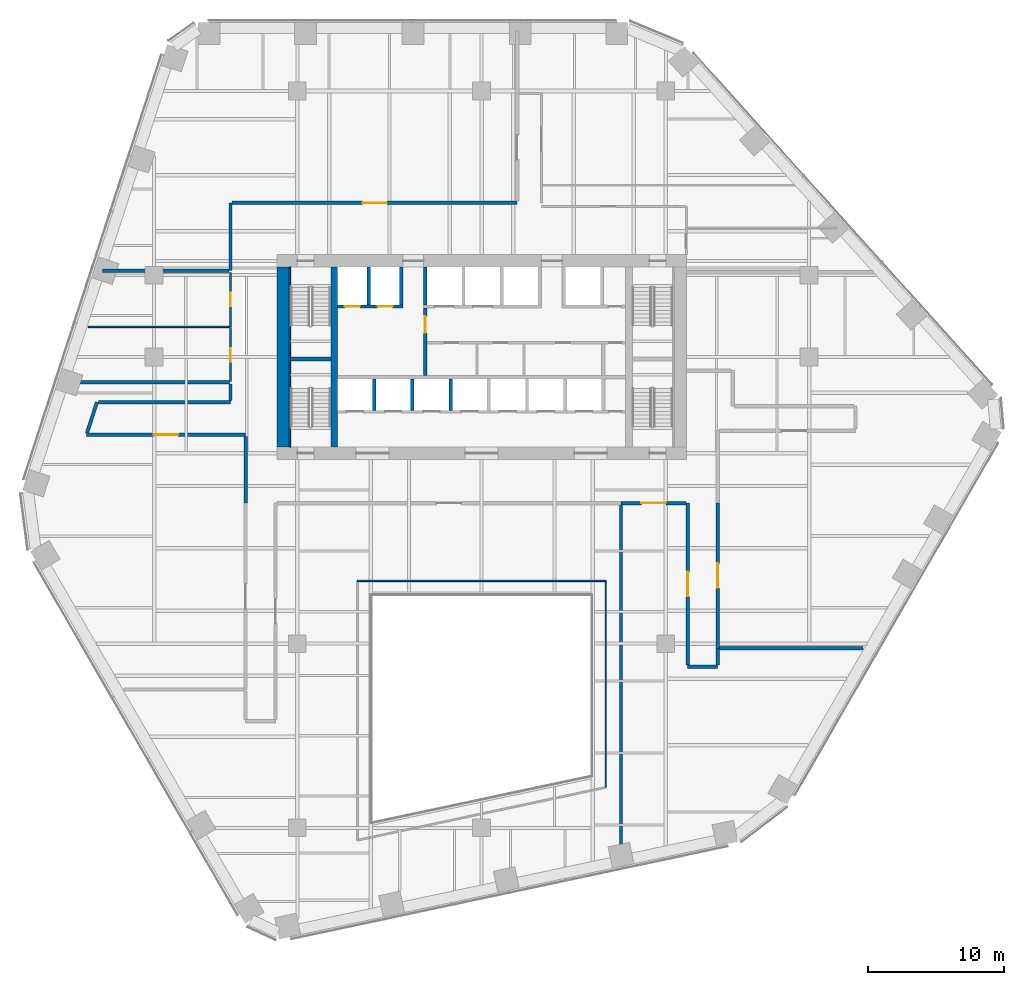
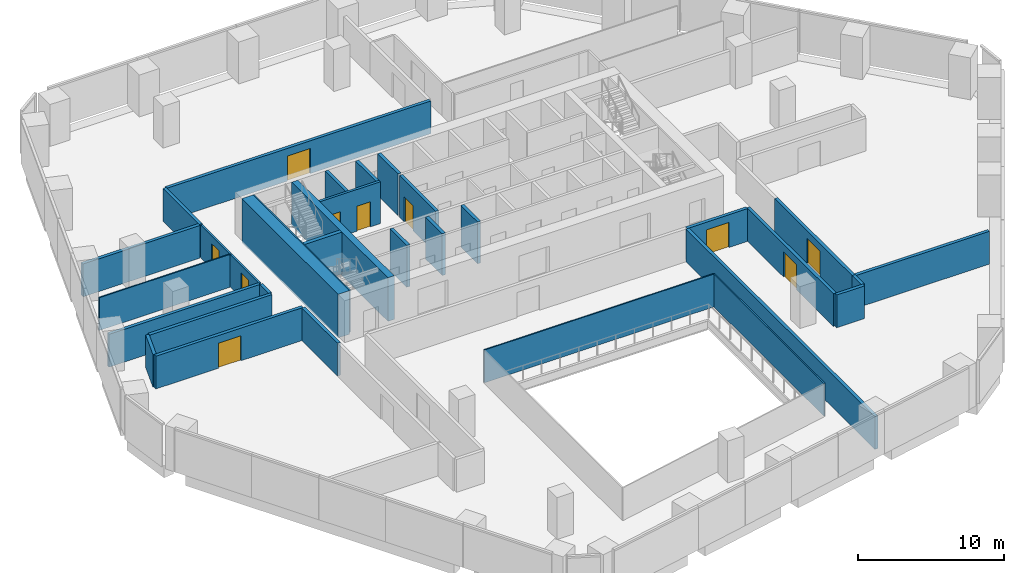
# One storey, part 14 of 19: 33 walls, 10 doors, 10 openings.
"""IFC4 building model written with IfcOpenShell, lengths in metres."""

from ifc_helpers import new_model, si_unit, direction, frame, frame_2d, origin, place, context, subcontext, project, spatial, rectangle, extrude, material, layer, layer_set, type_object, element, fill, save


model = new_model("IFC4")

# Units and contexts
model_context = context("Model", 3, precision=1e-05, world=origin(), true_north=direction((0.0, 1.0)))
body_context = subcontext(model_context, "Body", "Model", "MODEL_VIEW")
ifc_project = project(units=[si_unit("LENGTHUNIT", "METRE"), si_unit("AREAUNIT", "SQUARE_METRE"), si_unit("VOLUMEUNIT", "CUBIC_METRE"), si_unit("PLANEANGLEUNIT", "RADIAN"), si_unit("MASSUNIT", "GRAM", prefix="KILO")], contexts=[model_context])

# Site, building, storey
site_placement = place(None, origin())
site = spatial("IfcSite", under=ifc_project, at=site_placement, CompositionType="ELEMENT")
building_placement = place(site_placement, origin())
building = spatial("IfcBuilding", under=site, at=building_placement, Name="Isthmus Gate Tower", CompositionType="ELEMENT")
storey_placement = place(building_placement, frame((0.0, 0.0, 87.949951171875)))
storey = spatial("IfcBuildingStorey", under=building, at=storey_placement, Name="L20", CompositionType="ELEMENT", Elevation=87.949951171875)

# Wall, opening, door
ifc_material_1 = material(Name="Double-leaf acoustic stud wall, fire-rated", Category="gypsum")
ifc_layer_1 = layer(ifc_material_1, 0.25)
ifc_layer_set_1 = layer_set([ifc_layer_1], Name="ACOUSTIC WALL 250 60 MIN")
wall_type_1 = type_object("IfcWallType", Name="ACOUSTIC WALL 250 60 MIN", PredefinedType="PARTITIONING", material=ifc_layer_set_1)
wall_1_placement = place(storey_placement, frame((14.97509765625, -3.199951171875, 0.0), z_axis=(0.0, 0.0, 1.0), x_axis=(-1.0, 0.0, 0.0)))
wall_1 = element("IfcWall", 1, at=wall_1_placement, inside=storey, type_object=wall_type_1, Name="L20 Acoustic Wall 250 60 Min", PredefinedType="PARTITIONING", context=body_context, shape_type="SweptSolid", body=[
    extrude(rectangle(XDim=4.76220703125, YDim=0.25, at=frame_2d((2.381103515625, 0.0))), origin(), (0.0, 0.0, 1.0), 2.7412109375),
])
opening_1_placement = place(wall_1_placement, frame((1.468505859375, 0.0, 0.0)))
opening_1 = element("IfcOpeningElement", 2, at=opening_1_placement, cuts=wall_1, Name="Opening DT-T2A-15", PredefinedType="OPENING", context=body_context, shape_type="SweptSolid", body=[
    extrude(rectangle(XDim=1.800048828125, YDim=2.10009765625, at=frame_2d((0.89990234375, 1.050048828125))), frame((0.0, 0.135009765625, 0.0), z_axis=(0.0, -1.0, 0.0), x_axis=(1.0, 0.0, 0.0)), (0.0, 0.0, 1.0), 0.27001953125),
])
ifc_material_2 = material(Name="Solid core timber door leaf, fire-rated", Category="wood")
door_type_1 = type_object("IfcDoorType", Name="FIRE DOOR ACOUSTIC ROOM 1800 X 2100 60 MIN", OperationType="DOUBLE_DOOR_DOUBLE_SWING", PredefinedType="DOOR", material=ifc_material_2)
door_1_placement = place(opening_1_placement, origin())
door_1 = element("IfcDoor", 3, at=door_1_placement, inside=storey, type_object=door_type_1, Name="L20 room door", OperationType="DOUBLE_DOOR_DOUBLE_SWING", OverallHeight=2.10009765625, OverallWidth=1.800048828125, PredefinedType="DOOR", context=body_context, shape_type="SweptSolid", body=[
    extrude(rectangle(XDim=1.800048828125, YDim=2.10009765625, at=frame_2d((0.89990234375, 1.050048828125))), frame((0.0, 0.02490234375, 0.0), z_axis=(0.0, -1.0, 0.0), x_axis=(1.0, 0.0, 0.0)), (0.0, 0.0, 1.0), 0.050048828125),
])
fill(opening_1, door_1)

wall_2_placement = place(storey_placement, frame((-17.298095703125, 1.802001953125, 0.0), z_axis=(0.0, 0.0, 1.0), x_axis=(-0.99999998598, -0.000167451594, 0.0)))
wall_2 = element("IfcWall", 4, at=wall_2_placement, inside=storey, type_object=wall_type_1, Name="L20 Acoustic Wall 250 60 Min", PredefinedType="PARTITIONING", context=body_context, shape_type="SweptSolid", body=[
    extrude(rectangle(XDim=11.663818359375, YDim=0.25, at=frame_2d((5.83203125, 0.0))), origin(), (0.0, 0.0, 1.0), 2.7412109375),
])
opening_2_placement = place(wall_2_placement, frame((4.931884765625, 0.0, 0.0)))
opening_2 = element("IfcOpeningElement", 5, at=opening_2_placement, cuts=wall_2, Name="Opening DT-T2A-11", PredefinedType="OPENING", context=body_context, shape_type="SweptSolid", body=[
    extrude(rectangle(XDim=1.800048828125, YDim=2.10009765625, at=frame_2d((0.89990234375, 1.050048828125))), frame((0.0, 0.135009765625, 0.0), z_axis=(0.0, -1.0, 0.0), x_axis=(1.0, 0.0, 0.0)), (0.0, 0.0, 1.0), 0.27001953125),
])
door_2_placement = place(opening_2_placement, origin())
door_2 = element("IfcDoor", 6, at=door_2_placement, inside=storey, type_object=door_type_1, Name="L20 room door", OperationType="DOUBLE_DOOR_DOUBLE_SWING", OverallHeight=2.10009765625, OverallWidth=1.800048828125, PredefinedType="DOOR", context=body_context, shape_type="SweptSolid", body=[
    extrude(rectangle(XDim=1.800048828125, YDim=2.10009765625, at=frame_2d((0.89990234375, 1.050048828125))), frame((0.0, 0.02490234375, 0.0), z_axis=(0.0, -1.0, 0.0), x_axis=(1.0, 0.0, 0.0)), (0.0, 0.0, 1.0), 0.050048828125),
])
fill(opening_2, door_2)

wall_3_placement = place(storey_placement, frame((17.300048828125, -3.201904296875, 0.0), z_axis=(0.0, 0.0, 1.0), x_axis=(0.0, -1.0, 0.0)))
wall_3 = element("IfcWall", 7, at=wall_3_placement, inside=storey, type_object=wall_type_1, Name="L20 Acoustic Wall 250 60 Min", PredefinedType="PARTITIONING", context=body_context, shape_type="SweptSolid", body=[
    extrude(rectangle(XDim=10.63720703125, YDim=0.25, at=frame_2d((5.318603515625, 0.0))), origin(), (0.0, 0.0, 1.0), 2.7412109375),
])
opening_3_placement = place(wall_3_placement, frame((4.41845703125, 0.0, 0.0)))
opening_3 = element("IfcOpeningElement", 8, at=opening_3_placement, cuts=wall_3, Name="Opening DT-T2A-08", PredefinedType="OPENING", context=body_context, shape_type="SweptSolid", body=[
    extrude(rectangle(XDim=1.800048828125, YDim=2.10009765625, at=frame_2d((0.89990234375, 1.050048828125))), frame((0.0, 0.135009765625, 0.0), z_axis=(0.0, -1.0, 0.0), x_axis=(1.0, 0.0, 0.0)), (0.0, 0.0, 1.0), 0.27001953125),
])
door_3_placement = place(opening_3_placement, origin())
door_3 = element("IfcDoor", 9, at=door_3_placement, inside=storey, type_object=door_type_1, Name="L20 room door", OperationType="DOUBLE_DOOR_DOUBLE_SWING", OverallHeight=2.10009765625, OverallWidth=1.800048828125, PredefinedType="DOOR", context=body_context, shape_type="SweptSolid", body=[
    extrude(rectangle(XDim=1.800048828125, YDim=2.10009765625, at=frame_2d((0.89990234375, 1.050048828125))), frame((0.0, 0.02490234375, 0.0), z_axis=(0.0, -1.0, 0.0), x_axis=(1.0, 0.0, 0.0)), (0.0, 0.0, 1.0), 0.050048828125),
])
fill(opening_3, door_3)

# Walls
wall_4_placement = place(storey_placement, frame((17.300048828125, -15.199951171875, 0.0), z_axis=(0.0, 0.0, 1.0), x_axis=(-1.0, 0.0, 0.0)))
element("IfcWall", 10, at=wall_4_placement, inside=storey, type_object=wall_type_1, Name="L20 Acoustic Wall 250 60 Min", PredefinedType="PARTITIONING", context=body_context, shape_type="SweptSolid", body=[
    extrude(rectangle(XDim=2.199951171875, YDim=0.25, at=frame_2d((1.10009765625, 0.0))), origin(), (0.0, 0.0, 1.0), 2.7412109375),
])
wall_5_placement = place(storey_placement, frame((17.300048828125, -13.839111328125, 0.0), z_axis=(0.0, 0.0, 1.0), x_axis=(0.0, -1.0, 0.0)))
element("IfcWall", 11, at=wall_5_placement, inside=storey, type_object=wall_type_1, Name="L20 Acoustic Wall 250 60 Min", PredefinedType="PARTITIONING", context=body_context, shape_type="SweptSolid", body=[
    extrude(rectangle(XDim=1.23583984375, YDim=0.25, at=frame_2d((0.617919921875, 0.0))), origin(), (0.0, 0.0, 1.0), 2.7412109375),
])
wall_6_placement = place(storey_placement, frame((-18.39990234375, 13.830078125, 0.0), z_axis=(0.0, 0.0, 1.0), x_axis=(0.0, 1.0, 0.0)))
element("IfcWall", 12, at=wall_6_placement, inside=storey, type_object=wall_type_1, Name="L20 Acoustic Wall 250 60 Min", PredefinedType="PARTITIONING", context=body_context, shape_type="SweptSolid", body=[
    extrude(rectangle(XDim=4.969970703125, YDim=0.25, at=frame_2d((2.48486328125, 0.0))), origin(), (0.0, 0.0, 1.0), 2.7412109375),
])

# Wall, opening, door
wall_7_placement = place(storey_placement, frame((-18.27490234375, 18.800048828125, 0.0), z_axis=(0.0, 0.0, 1.0), x_axis=(1.0, 0.0, 0.0)))
wall_7 = element("IfcWall", 13, at=wall_7_placement, inside=storey, type_object=wall_type_1, Name="L20 Acoustic Wall 250 60 Min", PredefinedType="PARTITIONING", context=body_context, shape_type="SweptSolid", body=[
    extrude(rectangle(XDim=20.875, YDim=0.25, at=frame_2d((10.4375, 0.0))), origin(), (0.0, 0.0, 1.0), 2.7412109375),
])
opening_4_placement = place(wall_7_placement, frame((9.53759765625, 0.0, 0.0)))
opening_4 = element("IfcOpeningElement", 14, at=opening_4_placement, cuts=wall_7, Name="Opening DT-T2A-01", PredefinedType="OPENING", context=body_context, shape_type="SweptSolid", body=[
    extrude(rectangle(XDim=1.800048828125, YDim=2.10009765625, at=frame_2d((0.89990234375, 1.050048828125))), frame((0.0, 0.135009765625, 0.0), z_axis=(0.0, -1.0, 0.0), x_axis=(1.0, 0.0, 0.0)), (0.0, 0.0, 1.0), 0.27001953125),
])
door_4_placement = place(opening_4_placement, origin())
door_4 = element("IfcDoor", 15, at=door_4_placement, inside=storey, type_object=door_type_1, Name="L20 room door", OperationType="DOUBLE_DOOR_DOUBLE_SWING", OverallHeight=2.10009765625, OverallWidth=1.800048828125, PredefinedType="DOOR", context=body_context, shape_type="SweptSolid", body=[
    extrude(rectangle(XDim=1.800048828125, YDim=2.10009765625, at=frame_2d((0.89990234375, 1.050048828125))), frame((0.0, 0.02490234375, 0.0), z_axis=(0.0, -1.0, 0.0), x_axis=(1.0, 0.0, 0.0)), (0.0, 0.0, 1.0), 0.050048828125),
])
fill(opening_4, door_4)

# Walls
wall_8_placement = place(storey_placement, frame((-27.787109375, 13.830078125, 0.0), z_axis=(0.0, 0.0, 1.0), x_axis=(1.0, 0.0, 0.0)))
element("IfcWall", 16, at=wall_8_placement, inside=storey, type_object=wall_type_1, Name="L20 Acoustic Wall 250 60 Min", PredefinedType="PARTITIONING", context=body_context, shape_type="SweptSolid", body=[
    extrude(rectangle(XDim=9.26220703125, YDim=0.25, at=frame_2d((4.631103515625, 0.0))), origin(), (0.0, 0.0, 1.0), 2.7412109375),
])
wall_9_placement = place(storey_placement, frame((-30.44091796875, 5.660888671875, 0.0), z_axis=(0.0, 0.0, 1.0), x_axis=(1.0, 0.0, 0.0)))
element("IfcWall", 17, at=wall_9_placement, inside=storey, type_object=wall_type_1, Name="L20 Acoustic Wall 250 60 Min", PredefinedType="PARTITIONING", context=body_context, shape_type="SweptSolid", body=[
    extrude(rectangle(XDim=11.9658203125, YDim=0.25, at=frame_2d((5.98291015625, 0.0))), origin(), (0.0, 0.0, 1.0), 2.7412109375),
])
wall_10_placement = place(storey_placement, frame((17.425048828125, -13.839111328125, 0.0), z_axis=(0.0, 0.0, 1.0), x_axis=(1.0, 0.0, 0.0)))
element("IfcWall", 18, at=wall_10_placement, inside=storey, type_object=wall_type_1, Name="L20 Acoustic Wall 250 60 Min", PredefinedType="PARTITIONING", context=body_context, shape_type="SweptSolid", body=[
    extrude(rectangle(XDim=10.5419921875, YDim=0.25, at=frame_2d((5.27099609375, 0.0))), origin(), (0.0, 0.0, 1.0), 2.7412109375),
])
wall_11_placement = place(storey_placement, frame((-28.92138671875, 1.925048828125, 0.0), z_axis=(0.0, 0.0, 1.0), x_axis=(0.309146074309, 0.951014565998, 0.0)))
element("IfcWall", 19, at=wall_11_placement, inside=storey, type_object=wall_type_1, Name="L20 Acoustic Wall 250 60 Min", PredefinedType="PARTITIONING", context=body_context, shape_type="SweptSolid", body=[
    extrude(rectangle(XDim=2.39208984375, YDim=0.25, at=frame_2d((1.196044921875, 0.0))), origin(), (0.0, 0.0, 1.0), 2.7412109375),
])
wall_12_placement = place(storey_placement, frame((-28.056884765625, 4.199951171875, 0.0), z_axis=(0.0, 0.0, 1.0), x_axis=(1.0, 0.0, 0.0)))
element("IfcWall", 20, at=wall_12_placement, inside=storey, type_object=wall_type_1, Name="L20 Acoustic Wall 250 60 Min", PredefinedType="PARTITIONING", context=body_context, shape_type="SweptSolid", body=[
    extrude(rectangle(XDim=9.656982421875, YDim=0.25, at=frame_2d((4.82861328125, 0.0))), origin(), (0.0, 0.0, 1.0), 2.7412109375),
])
wall_13_placement = place(storey_placement, frame((-18.39990234375, 4.324951171875, 0.0), z_axis=(0.0, 0.0, 1.0), x_axis=(0.0, 1.0, 0.0)))
element("IfcWall", 21, at=wall_13_placement, inside=storey, type_object=wall_type_1, Name="L20 Acoustic Wall 250 60 Min", PredefinedType="PARTITIONING", context=body_context, shape_type="SweptSolid", body=[
    extrude(rectangle(XDim=1.2109375, YDim=0.25, at=frame_2d((0.60546875, 0.0))), origin(), (0.0, 0.0, 1.0), 2.7412109375),
])
wall_14_placement = place(storey_placement, frame((-17.298095703125, -3.201904296875, 0.0), z_axis=(0.0, 0.0, 1.0), x_axis=(0.0, 1.0, 0.0)))
element("IfcWall", 22, at=wall_14_placement, inside=storey, type_object=wall_type_1, Name="L20 Acoustic Wall 250 60 Min", PredefinedType="PARTITIONING", context=body_context, shape_type="SweptSolid", body=[
    extrude(rectangle(XDim=4.87890625, YDim=0.25, at=frame_2d((2.439453125, 0.0))), origin(), (0.0, 0.0, 1.0), 2.7412109375),
])
wall_15_placement = place(storey_placement, frame((10.212890625, -29.216064453125, 0.0), z_axis=(0.0, 0.0, 1.0), x_axis=(0.0, 1.0, 0.0)))
element("IfcWall", 23, at=wall_15_placement, inside=storey, type_object=wall_type_1, Name="L20 Acoustic Wall 250 60 Min", PredefinedType="PARTITIONING", context=body_context, shape_type="SweptSolid", body=[
    extrude(rectangle(XDim=25.89111328125, YDim=0.25, at=frame_2d((12.945556640625, 0.0))), origin(), (0.0, 0.0, 1.0), 2.7412109375),
])

# Wall, opening, door
wall_16_placement = place(storey_placement, frame((15.10009765625, -15.074951171875, 0.0), z_axis=(0.0, 0.0, 1.0), x_axis=(0.0, 1.0, 0.0)))
wall_16 = element("IfcWall", 24, at=wall_16_placement, inside=storey, type_object=wall_type_1, Name="L20 Acoustic Wall 250 60 Min", PredefinedType="PARTITIONING", context=body_context, shape_type="SweptSolid", body=[
    extrude(rectangle(XDim=11.875, YDim=0.25, at=frame_2d((5.9375, 0.0))), origin(), (0.0, 0.0, 1.0), 2.7412109375),
])
opening_5_placement = place(wall_16_placement, frame((5.03759765625, 0.0, 0.0)))
opening_5 = element("IfcOpeningElement", 25, at=opening_5_placement, cuts=wall_16, Name="Opening DT-T2A-14", PredefinedType="OPENING", context=body_context, shape_type="SweptSolid", body=[
    extrude(rectangle(XDim=1.800048828125, YDim=2.10009765625, at=frame_2d((0.89990234375, 1.050048828125))), frame((0.0, 0.135009765625, 0.0), z_axis=(0.0, -1.0, 0.0), x_axis=(1.0, 0.0, 0.0)), (0.0, 0.0, 1.0), 0.27001953125),
])
door_5_placement = place(opening_5_placement, origin())
door_5 = element("IfcDoor", 26, at=door_5_placement, inside=storey, type_object=door_type_1, Name="L20 room door", OperationType="DOUBLE_DOOR_DOUBLE_SWING", OverallHeight=2.10009765625, OverallWidth=1.800048828125, PredefinedType="DOOR", context=body_context, shape_type="SweptSolid", body=[
    extrude(rectangle(XDim=1.800048828125, YDim=2.10009765625, at=frame_2d((0.89990234375, 1.050048828125))), frame((0.0, 0.02490234375, 0.0), z_axis=(0.0, -1.0, 0.0), x_axis=(1.0, 0.0, 0.0)), (0.0, 0.0, 1.0), 0.050048828125),
])
fill(opening_5, door_5)

# Walls
ifc_material_3 = material(Name="Fire-rated laminated glass in steel frame", Category="steel")
ifc_layer_2 = layer(ifc_material_3, 0.10009765625)
ifc_layer_set_2 = layer_set([ifc_layer_2], Name="ATRIUM SCREEN GLAZED WALL 100 120 MIN")
wall_type_2 = type_object("IfcWallType", Name="ATRIUM SCREEN GLAZED WALL 100 120 MIN", PredefinedType="PARTITIONING", material=ifc_layer_set_2)
wall_17_placement = place(storey_placement, frame((-9.10009765625, -8.89990234375, 0.0), z_axis=(0.0, 0.0, 1.0), x_axis=(1.0, 0.0, 0.0)))
element("IfcWall", 27, at=wall_17_placement, inside=storey, type_object=wall_type_2, Name="L20 atrium screen", PredefinedType="PARTITIONING", context=body_context, shape_type="SweptSolid", body=[
    extrude(rectangle(XDim=18.2001953125, YDim=0.10009765625, at=frame_2d((9.10009765625, 0.0))), origin(), (0.0, 0.0, 1.0), 2.7412109375),
])
wall_18_placement = place(storey_placement, frame((9.10009765625, -8.89990234375, 0.0), z_axis=(0.0, 0.0, 1.0), x_axis=(0.0, -1.0, 0.0)))
element("IfcWall", 28, at=wall_18_placement, inside=storey, type_object=wall_type_2, Name="L20 atrium screen", PredefinedType="PARTITIONING", context=body_context, shape_type="SweptSolid", body=[
    extrude(rectangle(XDim=15.134033203125, YDim=0.10009765625, at=frame_2d((7.56689453125, 0.0))), origin(), (0.0, 0.0, 1.0), 2.7412109375),
])

# Wall, opening, door
ifc_material_4 = material(Name="Gypsum board on steel studs, fire-rated", Category="steel")
ifc_layer_3 = layer(ifc_material_4, 0.14990234375)
ifc_layer_set_3 = layer_set([ifc_layer_3], Name="CORRIDOR WALL 150 60 MIN")
wall_type_3 = type_object("IfcWallType", Name="CORRIDOR WALL 150 60 MIN", PredefinedType="PARTITIONING", material=ifc_layer_set_3)
wall_19_placement = place(storey_placement, frame((-18.39990234375, 9.714111328125, 0.0), z_axis=(0.0, 0.0, 1.0), x_axis=(0.0, 1.0, 0.0)))
wall_19 = element("IfcWall", 29, at=wall_19_placement, inside=storey, type_object=wall_type_3, Name="L20 Corridor Wall 150 60 Min", PredefinedType="PARTITIONING", context=body_context, shape_type="SweptSolid", body=[
    extrude(rectangle(XDim=3.990966796875, YDim=0.14990234375, at=frame_2d((1.99560546875, 0.0))), origin(), (0.0, 0.0, 1.0), 2.7412109375),
])
opening_6_placement = place(wall_19_placement, frame((1.49560546875, 0.0, 0.0)))
opening_6 = element("IfcOpeningElement", 30, at=opening_6_placement, cuts=wall_19, Name="Opening DT-T2A-06", PredefinedType="OPENING", context=body_context, shape_type="SweptSolid", body=[
    extrude(rectangle(XDim=1.0, YDim=2.10009765625, at=frame_2d((0.5, 1.050048828125))), frame((0.0, 0.0849609375, 0.0), z_axis=(0.0, -1.0, 0.0), x_axis=(1.0, 0.0, 0.0)), (0.0, 0.0, 1.0), 0.169921875),
])
ifc_material_5 = material(Name="Solid core timber door leaf, fire-rated", Category="wood")
door_type_2 = type_object("IfcDoorType", Name="FIRE DOOR ROOM 1000 X 2100 60 MIN", OperationType="SINGLE_SWING_LEFT", PredefinedType="DOOR", material=ifc_material_5)
door_6_placement = place(opening_6_placement, origin())
door_6 = element("IfcDoor", 31, at=door_6_placement, inside=storey, type_object=door_type_2, Name="L20 room door", OperationType="SINGLE_SWING_RIGHT", OverallHeight=2.10009765625, OverallWidth=1.0, PredefinedType="DOOR", context=body_context, shape_type="SweptSolid", body=[
    extrude(rectangle(XDim=1.0, YDim=2.10009765625, at=frame_2d((0.5, 1.050048828125))), frame((0.0, 0.02490234375, 0.0), z_axis=(0.0, -1.0, 0.0), x_axis=(1.0, 0.0, 0.0)), (0.0, 0.0, 1.0), 0.050048828125),
])
fill(opening_6, door_6)

wall_20_placement = place(storey_placement, frame((-18.39990234375, 5.7109375, 0.0), z_axis=(0.0, 0.0, 1.0), x_axis=(0.0, 1.0, 0.0)))
wall_20 = element("IfcWall", 32, at=wall_20_placement, inside=storey, type_object=wall_type_3, Name="L20 Corridor Wall 150 60 Min", PredefinedType="PARTITIONING", context=body_context, shape_type="SweptSolid", body=[
    extrude(rectangle(XDim=3.953125, YDim=0.14990234375, at=frame_2d((1.9765625, 0.0))), origin(), (0.0, 0.0, 1.0), 2.7412109375),
])
opening_7_placement = place(wall_20_placement, frame((1.451416015625, 0.0, 0.0)))
opening_7 = element("IfcOpeningElement", 33, at=opening_7_placement, cuts=wall_20, Name="Opening DT-T2A-07", PredefinedType="OPENING", context=body_context, shape_type="SweptSolid", body=[
    extrude(rectangle(XDim=1.0, YDim=2.10009765625, at=frame_2d((0.5, 1.050048828125))), frame((0.0, 0.0849609375, 0.0), z_axis=(0.0, -1.0, 0.0), x_axis=(1.0, 0.0, 0.0)), (0.0, 0.0, 1.0), 0.169921875),
])
door_7_placement = place(opening_7_placement, origin())
door_7 = element("IfcDoor", 34, at=door_7_placement, inside=storey, type_object=door_type_2, Name="L20 room door", OperationType="SINGLE_SWING_RIGHT", OverallHeight=2.10009765625, OverallWidth=1.0, PredefinedType="DOOR", context=body_context, shape_type="SweptSolid", body=[
    extrude(rectangle(XDim=1.0, YDim=2.10009765625, at=frame_2d((0.5, 1.050048828125))), frame((0.0, 0.02490234375, 0.0), z_axis=(0.0, -1.0, 0.0), x_axis=(1.0, 0.0, 0.0)), (0.0, 0.0, 1.0), 0.050048828125),
])
fill(opening_7, door_7)

ifc_material_6 = material(Name="Fire-rated blockwork masonry, 15 MPa", Category="masonry")
ifc_layer_4 = layer(ifc_material_6, 0.25)
ifc_layer_set_4 = layer_set([ifc_layer_4], Name="FIRE-FIGHTING LOBBY WALL 250 90 MIN")
wall_type_4 = type_object("IfcWallType", Name="FIRE-FIGHTING LOBBY WALL 250 90 MIN", PredefinedType="PARTITIONING", material=ifc_layer_set_4)
wall_21_placement = place(storey_placement, frame((-4.125, 6.14990234375, 0.0), z_axis=(0.0, 0.0, 1.0), x_axis=(0.0, 1.0, 0.0)))
wall_21 = element("IfcWall", 35, at=wall_21_placement, inside=storey, type_object=wall_type_4, Name="L20 FIRE-FIGHTING LOBBY WALL 250 90 MIN", PredefinedType="PARTITIONING", context=body_context, shape_type="SweptSolid", body=[
    extrude(rectangle(XDim=4.9501953125, YDim=0.25, at=frame_2d((2.47509765625, 0.0))), origin(), (0.0, 0.0, 1.0), 3.5),
])
opening_8_placement = place(wall_21_placement, frame((3.125, 0.0, 0.0)))
opening_8 = element("IfcOpeningElement", 36, at=opening_8_placement, cuts=wall_21, Name="Opening DC-A05-01", PredefinedType="OPENING", context=body_context, shape_type="SweptSolid", body=[
    extrude(rectangle(XDim=1.199951171875, YDim=2.10009765625, at=frame_2d((0.60009765625, 1.050048828125))), frame((0.0, 0.135009765625, 0.0), z_axis=(0.0, -1.0, 0.0), x_axis=(1.0, 0.0, 0.0)), (0.0, 0.0, 1.0), 0.27001953125),
])
ifc_material_7 = material(Name="Steel door leaf, fire-rated", Category="steel")
door_type_3 = type_object("IfcDoorType", Name="LOBBY FIRE DOOR 1200 X 2100 90 MIN", OperationType="DOUBLE_DOOR_SINGLE_SWING", PredefinedType="DOOR", material=ifc_material_7)
door_8_placement = place(opening_8_placement, origin())
door_8 = element("IfcDoor", 37, at=door_8_placement, inside=storey, type_object=door_type_3, Name="Fire-fighting Lobby Door", OperationType="SINGLE_SWING_LEFT", OverallHeight=2.10009765625, OverallWidth=1.199951171875, PredefinedType="DOOR", context=body_context, shape_type="SweptSolid", body=[
    extrude(rectangle(XDim=1.199951171875, YDim=2.10009765625, at=frame_2d((0.60009765625, 1.050048828125))), frame((0.0, 0.02490234375, 0.0), z_axis=(0.0, -1.0, 0.0), x_axis=(1.0, 0.0, 0.0)), (0.0, 0.0, 1.0), 0.050048828125),
])
fill(opening_8, door_8)

# Walls
ifc_material_8 = material(Name="Concrete f'c 70 MPa", Category="concrete")
ifc_layer_5 = layer(ifc_material_8, 0.5)
ifc_layer_set_5 = layer_set([ifc_layer_5], Name="RC CORE SPINE WALL 500 F'C 70")
wall_type_5 = type_object("IfcWallType", Name="RC CORE SPINE WALL 500 F'C 70", PredefinedType="SOLIDWALL", material=ifc_layer_set_5)
wall_22_placement = place(storey_placement, frame((-10.800048828125, 0.89990234375, -0.14990234375), z_axis=(0.0, 0.0, 1.0), x_axis=(0.0, 1.0, 0.0)))
element("IfcWall", 38, at=wall_22_placement, inside=storey, type_object=wall_type_5, Name="str-corewall-L20-SPW", PredefinedType="SOLIDWALL", context=body_context, shape_type="SweptSolid", body=[
    extrude(rectangle(XDim=13.2001953125, YDim=0.5, at=frame_2d((6.60009765625, 0.0))), origin(), (0.0, 0.0, 1.0), 3.64990234375),
])
ifc_material_9 = material(Name="Concrete f'c 70 MPa", Category="concrete")
ifc_layer_6 = layer(ifc_material_9, 0.89990234375)
ifc_layer_set_6 = layer_set([ifc_layer_6], Name="RC CORE WALL 900 F'C 70")
wall_type_6 = type_object("IfcWallType", Name="RC CORE WALL 900 F'C 70", PredefinedType="SOLIDWALL", material=ifc_layer_set_6)
wall_23_placement = place(storey_placement, frame((-14.550048828125, 0.89990234375, -0.14990234375), z_axis=(0.0, 0.0, 1.0), x_axis=(0.0, 1.0, 0.0)))
element("IfcWall", 39, at=wall_23_placement, inside=storey, type_object=wall_type_6, Name="str-corewall-L20-W", PredefinedType="SOLIDWALL", context=body_context, shape_type="SweptSolid", body=[
    extrude(rectangle(XDim=13.2001953125, YDim=0.89990234375, at=frame_2d((6.60009765625, 0.0))), origin(), (0.0, 0.0, 1.0), 3.64990234375),
])
ifc_material_10 = material(Name="Gypsum board on steel studs, fire-rated", Category="steel")
ifc_layer_7 = layer(ifc_material_10, 0.10009765625)
ifc_layer_set_7 = layer_set([ifc_layer_7], Name="ROOM PARTITION 100 30 MIN")
wall_type_7 = type_object("IfcWallType", Name="ROOM PARTITION 100 30 MIN", PredefinedType="PARTITIONING", material=ifc_layer_set_7)
wall_24_placement = place(storey_placement, frame((-28.823974609375, 9.714111328125, 0.0), z_axis=(0.0, 0.0, 1.0), x_axis=(1.0, 0.0, 0.0)))
element("IfcWall", 40, at=wall_24_placement, inside=storey, type_object=wall_type_7, Name="L20 Room Partition 100 30 Min", PredefinedType="PARTITIONING", context=body_context, shape_type="SweptSolid", body=[
    extrude(rectangle(XDim=10.348876953125, YDim=0.10009765625, at=frame_2d((5.17431640625, 0.0))), origin(), (0.0, 0.0, 1.0), 2.7412109375),
])

# Wall, openings, doors
ifc_material_11 = material(Name="Fire-rated blockwork masonry, 15 MPa", Category="masonry")
ifc_layer_8 = layer(ifc_material_11, 0.199951171875)
ifc_layer_set_8 = layer_set([ifc_layer_8], Name="SHAFT FRONT WALL 200 120 MIN")
wall_type_8 = type_object("IfcWallType", Name="SHAFT FRONT WALL 200 120 MIN", PredefinedType="PARTITIONING", material=ifc_layer_set_8)
wall_25_placement = place(storey_placement, frame((-10.550048828125, 11.199951171875, 0.0), z_axis=(0.0, 0.0, 1.0), x_axis=(1.0, 0.0, 0.0)))
wall_25 = element("IfcWall", 41, at=wall_25_placement, inside=storey, type_object=wall_type_8, Name="L20 SHAFT FRONT WALL 200 120 MIN", PredefinedType="PARTITIONING", context=body_context, shape_type="SweptSolid", body=[
    extrude(rectangle(XDim=4.800048828125, YDim=0.199951171875, at=frame_2d((2.39990234375, 0.0))), origin(), (0.0, 0.0, 1.0), 3.5),
])
opening_9_placement = place(wall_25_placement, frame((0.52490234375, 0.0, 0.0)))
opening_9 = element("IfcOpeningElement", 42, at=opening_9_placement, cuts=wall_25, Name="Opening LD-LF1", PredefinedType="OPENING", context=body_context, shape_type="SweptSolid", body=[
    extrude(rectangle(XDim=1.10009765625, YDim=2.10009765625, at=frame_2d((0.550048828125, 1.050048828125))), frame((0.0, 0.10986328125, 0.0), z_axis=(0.0, -1.0, 0.0), x_axis=(1.0, 0.0, 0.0)), (0.0, 0.0, 1.0), 0.219970703125),
])
opening_10_placement = place(wall_25_placement, frame((2.925048828125, 0.0, 0.0)))
opening_10 = element("IfcOpeningElement", 43, at=opening_10_placement, cuts=wall_25, Name="Opening LD-LF2", PredefinedType="OPENING", context=body_context, shape_type="SweptSolid", body=[
    extrude(rectangle(XDim=1.10009765625, YDim=2.10009765625, at=frame_2d((0.550048828125, 1.050048828125))), frame((0.0, 0.10986328125, 0.0), z_axis=(0.0, -1.0, 0.0), x_axis=(1.0, 0.0, 0.0)), (0.0, 0.0, 1.0), 0.219970703125),
])
ifc_material_12 = material(Name="Stainless steel sliding leaf", Category="steel")
door_type_4 = type_object("IfcDoorType", Name="LIFT LANDING FIRE DOOR 1100 X 2100 90 MIN", OperationType="DOUBLE_DOOR_SLIDING", PredefinedType="DOOR", material=ifc_material_12)
door_9_placement = place(opening_9_placement, origin())
door_9 = element("IfcDoor", 44, at=door_9_placement, inside=storey, type_object=door_type_4, Name="Lift Landing Door LF1", OperationType="DOUBLE_DOOR_SLIDING", OverallHeight=2.10009765625, OverallWidth=1.10009765625, PredefinedType="DOOR", context=body_context, shape_type="SweptSolid", body=[
    extrude(rectangle(XDim=1.10009765625, YDim=2.10009765625, at=frame_2d((0.550048828125, 1.050048828125))), frame((0.0, 0.02490234375, 0.0), z_axis=(0.0, -1.0, 0.0), x_axis=(1.0, 0.0, 0.0)), (0.0, 0.0, 1.0), 0.050048828125),
])
fill(opening_9, door_9)
door_10_placement = place(opening_10_placement, origin())
door_10 = element("IfcDoor", 45, at=door_10_placement, inside=storey, type_object=door_type_4, Name="Lift Landing Door LF2", OperationType="DOUBLE_DOOR_SLIDING", OverallHeight=2.10009765625, OverallWidth=1.10009765625, PredefinedType="DOOR", context=body_context, shape_type="SweptSolid", body=[
    extrude(rectangle(XDim=1.10009765625, YDim=2.10009765625, at=frame_2d((0.550048828125, 1.050048828125))), frame((0.0, 0.02490234375, 0.0), z_axis=(0.0, -1.0, 0.0), x_axis=(1.0, 0.0, 0.0)), (0.0, 0.0, 1.0), 0.050048828125),
])
fill(opening_10, door_10)

# Walls
ifc_material_13 = material(Name="Fire-rated blockwork masonry, 15 MPa", Category="masonry")
ifc_layer_9 = layer(ifc_material_13, 0.25)
ifc_layer_set_9 = layer_set([ifc_layer_9], Name="SHAFT WALL 250 120 MIN")
wall_type_9 = type_object("IfcWallType", Name="SHAFT WALL 250 120 MIN", PredefinedType="PARTITIONING", material=ifc_layer_set_9)
for number, where, z_axis, x_axis, name in (
    (46, (-7.875, 3.60009765625, 0.0), (0.0, 0.0, 1.0), (0.0, 1.0, 0.0), "L20 SHAFT WALL 250 120 MIN"),
    (47, (-5.074951171875, 3.60009765625, 0.0), (0.0, 0.0, 1.0), (0.0, 1.0, 0.0), "L20 SHAFT WALL 250 120 MIN"),
    (48, (-2.27490234375, 3.60009765625, 0.0), (0.0, 0.0, 1.0), (0.0, 1.0, 0.0), "L20 SHAFT WALL 250 120 MIN"),
):
    element("IfcWall", number, at=place(storey_placement, frame(where, z_axis=z_axis, x_axis=x_axis)), inside=storey, type_object=wall_type_9, Name=name, PredefinedType="PARTITIONING", context=body_context, shape_type="SweptSolid", body=[
        extrude(rectangle(XDim=2.2998046875, YDim=0.25, at=frame_2d((1.14990234375, 0.0))), origin(), (0.0, 0.0, 1.0), 3.5),
    ])
for number, where, z_axis, x_axis, name in (
    (49, (-8.27490234375, 11.300048828125, 0.0), (0.0, 0.0, 1.0), (0.0, 1.0, 0.0), "L20 SHAFT WALL 250 120 MIN"),
    (50, (-5.875, 11.300048828125, 0.0), (0.0, 0.0, 1.0), (0.0, 1.0, 0.0), "L20 SHAFT WALL 250 120 MIN"),
    (51, (-4.125, 11.300048828125, 0.0), (0.0, 0.0, 1.0), (0.0, 1.0, 0.0), "L20 SHAFT WALL 250 120 MIN"),
):
    element("IfcWall", number, at=place(storey_placement, frame(where, z_axis=z_axis, x_axis=x_axis)), inside=storey, type_object=wall_type_9, Name=name, PredefinedType="PARTITIONING", context=body_context, shape_type="SweptSolid", body=[
        extrude(rectangle(XDim=2.800048828125, YDim=0.25, at=frame_2d((1.39990234375, 0.0))), origin(), (0.0, 0.0, 1.0), 3.5),
    ])
ifc_material_14 = material(Name="Concrete f'c 40 MPa", Category="concrete")
ifc_layer_10 = layer(ifc_material_14, 0.10009765625)
ifc_layer_set_10 = layer_set([ifc_layer_10], Name="STAIR ENCLOSURE WALL 100 180 MIN")
wall_type_10 = type_object("IfcWallType", Name="STAIR ENCLOSURE WALL 100 180 MIN", PredefinedType="SOLIDWALL", material=ifc_layer_set_10)
wall_26_placement = place(storey_placement, frame((-14.050048828125, 0.89990234375, 0.0), z_axis=(0.0, 0.0, 1.0), x_axis=(0.0, 1.0, 0.0)))
element("IfcWall", 52, at=wall_26_placement, inside=storey, type_object=wall_type_10, Name="L20 STAIR ENCLOSURE WALL 100 180 MIN", PredefinedType="SOLIDWALL", context=body_context, shape_type="SweptSolid", body=[
    extrude(rectangle(XDim=13.2001953125, YDim=0.10009765625, at=frame_2d((6.60009765625, 0.0))), origin(), (0.0, 0.0, 1.0), 3.5),
])
ifc_material_15 = material(Name="Concrete f'c 40 MPa", Category="concrete")
ifc_layer_11 = layer(ifc_material_15, 0.300048828125)
ifc_layer_set_11 = layer_set([ifc_layer_11], Name="STAIR ENCLOSURE WALL 300 180 MIN")
wall_type_11 = type_object("IfcWallType", Name="STAIR ENCLOSURE WALL 300 180 MIN", PredefinedType="SOLIDWALL", material=ifc_layer_set_11)
wall_27_placement = place(storey_placement, frame((-14.0, 7.35009765625, 0.0), z_axis=(0.0, 0.0, 1.0), x_axis=(1.0, 0.0, 0.0)))
element("IfcWall", 53, at=wall_27_placement, inside=storey, type_object=wall_type_11, Name="L20 STAIR ENCLOSURE WALL 300 180 MIN", PredefinedType="SOLIDWALL", context=body_context, shape_type="SweptSolid", body=[
    extrude(rectangle(XDim=2.949951171875, YDim=0.300048828125, at=frame_2d((1.47509765625, 0.0))), origin(), (0.0, 0.0, 1.0), 3.5),
])

save(model, "model.ifc")
